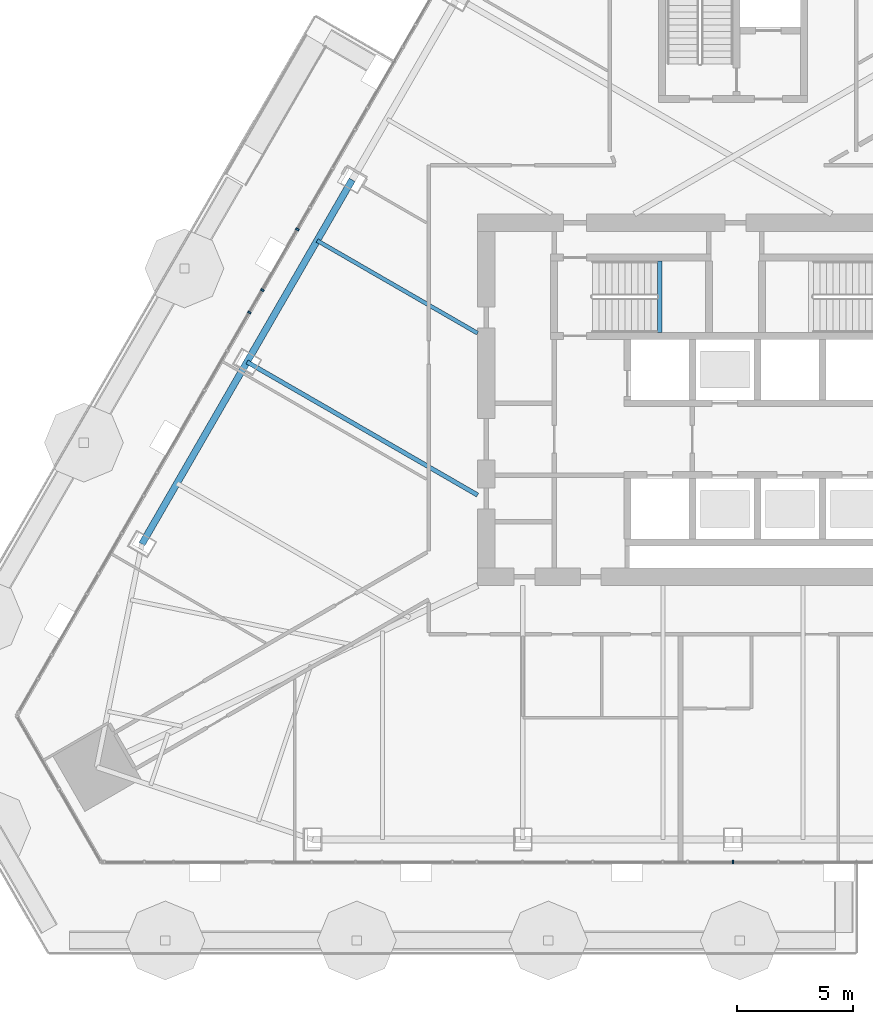
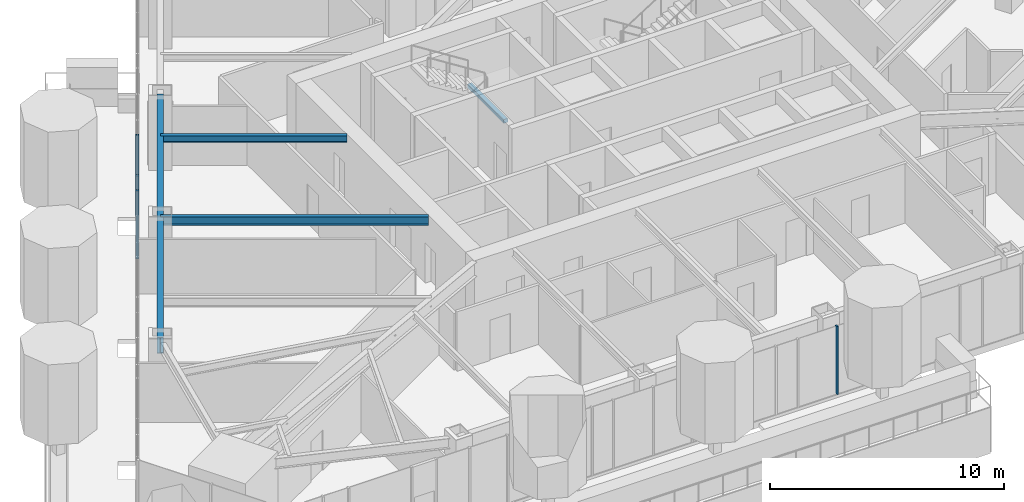
# One storey, part 3 of 32: 4 beams, 4 members, 2 elements without a shape of their own.
"""IFC4 building model written with IfcOpenShell, lengths in metres."""

from ifc_helpers import new_model, si_unit, direction, frame, origin, origin_2d, place, context, subcontext, project, spatial, rectangle, i_section, extrude, material, layer, layer_set, material_profile, profile_set, type_object, element, aggregate, save


model = new_model("IFC4")

# Units and contexts
model_context = context("Model", 3, precision=1e-05, world=origin(), true_north=direction((0.0, 1.0)))
body_context = subcontext(model_context, "Body", "Model", "MODEL_VIEW")
ifc_project = project(units=[si_unit("LENGTHUNIT", "METRE"), si_unit("AREAUNIT", "SQUARE_METRE"), si_unit("VOLUMEUNIT", "CUBIC_METRE"), si_unit("PLANEANGLEUNIT", "RADIAN"), si_unit("MASSUNIT", "GRAM", prefix="KILO")], contexts=[model_context])

# Site, building, storey
site_placement = place(None, origin())
site = spatial("IfcSite", under=ifc_project, at=site_placement, CompositionType="ELEMENT")
building_placement = place(site_placement, origin())
building = spatial("IfcBuilding", under=site, at=building_placement, Name="Firuza Gate Tower and Library", CompositionType="ELEMENT")
storey_placement = place(building_placement, frame((0.0, 0.0, 163.60009765625)))
storey = spatial("IfcBuildingStorey", under=building, at=storey_placement, Name="L37", CompositionType="ELEMENT", Elevation=163.60009765625)

# Curtain wall, member
ifc_material_1 = material(Name="Aluminium 6063-T6", Category="aluminium")
ifc_layer = layer(ifc_material_1, 0.14990234375)
ifc_layer_set = layer_set([ifc_layer], Name="Unitised curtain wall, hotel")
curtain_wall_type = type_object("IfcCurtainWallType", Name="Unitised curtain wall, hotel", PredefinedType="NOTDEFINED", material=ifc_layer_set)
placement = place(storey_placement, origin())
curtain_wall_1 = element("IfcCurtainWall", 1, at=placement, inside=storey, type_object=curtain_wall_type, Name="CW2 L37 S face", PredefinedType="NOTDEFINED")
ifc_material_2 = material(Name="Aluminium 6063-T6", Category="aluminium")
ifc_material_profile_1 = material_profile(ifc_material_2, rectangle(XDim=0.14990234375, YDim=0.080078125, at=origin_2d()))
ifc_profile_set_1 = profile_set([ifc_material_profile_1], Name="Aluminium 6063-T6")
member_type = type_object("IfcMemberType", Name="Curtain wall mullion 80x150", PredefinedType="MULLION", material=ifc_profile_set_1)
member_1_placement = place(storey_placement, frame((75.0, 55.086181640625, 0.14990234375), z_axis=(0.0, 0.0, 1.0), x_axis=(0.0, 1.0, 0.0)))
member_1 = element("IfcMember", 2, at=member_1_placement, type_object=member_type, Name="Mullion", PredefinedType="MULLION", context=body_context, shape_type="SweptSolid", body=[
    extrude(rectangle(XDim=0.14990234375, YDim=0.080078125, at=origin_2d()), origin(), (0.0, 0.0, 1.0), 3.550048828125),
])
aggregate(curtain_wall_1, [member_1])

# Curtain wall, members
curtain_wall_2 = element("IfcCurtainWall", 3, at=placement, inside=storey, type_object=curtain_wall_type, Name="CW2 L37 W face", PredefinedType="NOTDEFINED")
member_2_placement = place(storey_placement, frame((56.24267578125, 82.339111328125, 0.14990234375), z_axis=(0.0, 0.0, 1.0), x_axis=(0.866025403784, -0.5, 0.0)))
member_2 = element("IfcMember", 4, at=member_2_placement, type_object=member_type, Name="Mullion", PredefinedType="MULLION", context=body_context, shape_type="SweptSolid", body=[
    extrude(rectangle(XDim=0.14990234375, YDim=0.080078125, at=origin_2d()), origin(), (0.0, 0.0, 1.0), 3.550048828125),
])
member_3_placement = place(storey_placement, frame((54.731201171875, 79.72119140625, 0.14990234375), z_axis=(0.0, 0.0, 1.0), x_axis=(0.866025403784, -0.5, 0.0)))
member_3 = element("IfcMember", 5, at=member_3_placement, type_object=member_type, Name="Mullion", PredefinedType="MULLION", context=body_context, shape_type="SweptSolid", body=[
    extrude(rectangle(XDim=0.14990234375, YDim=0.080078125, at=origin_2d()), origin(), (0.0, 0.0, 1.0), 3.550048828125),
])
member_4_placement = place(storey_placement, frame((54.1748046875, 78.757568359375, 0.14990234375), z_axis=(0.0, 0.0, 1.0), x_axis=(0.866025403784, -0.5, 0.0)))
member_4 = element("IfcMember", 6, at=member_4_placement, type_object=member_type, Name="Mullion", PredefinedType="MULLION", context=body_context, shape_type="SweptSolid", body=[
    extrude(rectangle(XDim=0.14990234375, YDim=0.080078125, at=origin_2d()), origin(), (0.0, 0.0, 1.0), 3.550048828125),
])
aggregate(curtain_wall_2, [member_2, member_3, member_4])

# Beams
ifc_material_3 = material(Name="Concrete C35/45", Category="concrete")
ifc_material_profile_2 = material_profile(ifc_material_3, rectangle(XDim=0.199951171875, YDim=0.199951171875, at=origin_2d()))
ifc_profile_set_2 = profile_set([ifc_material_profile_2], Name="Concrete C35/45")
beam_type_1 = type_object("IfcBeamType", Name="Stair landing bearer 200x200", PredefinedType="BEAM", material=ifc_profile_set_2)
beam_1_placement = place(storey_placement, frame((71.840087890625, 77.89990234375, 1.64990234375), z_axis=(0.0, 1.0, 0.0), x_axis=(-1.0, 0.0, 0.0)))
element("IfcBeam", 7, at=beam_1_placement, inside=storey, type_object=beam_type_1, Name="Landing bearer L37 stair 1", PredefinedType="BEAM", context=body_context, shape_type="SweptSolid", body=[
    extrude(rectangle(XDim=0.199951171875, YDim=0.199951171875, at=origin_2d()), origin(), (0.0, 0.0, 1.0), 3.080078125),
])
ifc_material_4 = material(Name="Steel S355", Category="steel")
ifc_material_profile_3 = material_profile(ifc_material_4, i_section(OverallWidth=0.1708984375, OverallDepth=0.35498046875, WebThickness=0.007080078125, FlangeThickness=0.01171875, at=origin_2d()))
ifc_profile_set_3 = profile_set([ifc_material_profile_3], Name="Steel S355")
beam_type_2 = type_object("IfcBeamType", Name="W360x51 Floor beam", PredefinedType="JOIST", material=ifc_profile_set_3)
beam_2_placement = place(storey_placement, frame((57.08935546875, 81.855712890625, 3.5224609375), z_axis=(0.866031719379, -0.499989060909, 0.0), x_axis=(0.499989060909, 0.866031719379, 0.0)))
element("IfcBeam", 8, at=beam_2_placement, inside=storey, type_object=beam_type_2, Name="Floor beam L37 s83", PredefinedType="JOIST", context=body_context, shape_type="SweptSolid", body=[
    extrude(i_section(OverallWidth=0.1708984375, OverallDepth=0.35498046875, WebThickness=0.007080078125, FlangeThickness=0.01171875, at=origin_2d()), origin(), (0.0, 0.0, 1.0), 7.979736328125),
])
ifc_material_5 = material(Name="Steel S355", Category="steel")
ifc_material_profile_4 = material_profile(ifc_material_5, i_section(OverallWidth=0.18994140625, OverallDepth=0.45703125, WebThickness=0.009033203125, FlangeThickness=0.014404296875, at=origin_2d()))
ifc_profile_set_4 = profile_set([ifc_material_profile_4], Name="Steel S355")
beam_type_3 = type_object("IfcBeamType", Name="W460x74 Floor beam", PredefinedType="JOIST", material=ifc_profile_set_4)
beam_3_placement = place(storey_placement, frame((54.071533203125, 76.62841796875, 3.471435546875), z_axis=(0.866026357233, -0.499998348575, 0.0), x_axis=(0.499998348575, 0.866026357233, 0.0)))
element("IfcBeam", 9, at=beam_3_placement, inside=storey, type_object=beam_type_3, Name="Floor beam L37 s84", PredefinedType="JOIST", context=body_context, shape_type="SweptSolid", body=[
    extrude(i_section(OverallWidth=0.18994140625, OverallDepth=0.45703125, WebThickness=0.009033203125, FlangeThickness=0.014404296875, at=origin_2d()), origin(), (0.0, 0.0, 1.0), 11.46435546875),
])
ifc_material_6 = material(Name="Steel S355", Category="steel")
ifc_material_profile_5 = material_profile(ifc_material_6, i_section(OverallWidth=0.2919921875, OverallDepth=0.8349609375, WebThickness=0.013916015625, FlangeThickness=0.018798828125, at=origin_2d()))
ifc_profile_set_5 = profile_set([ifc_material_profile_5], Name="Steel S355")
beam_type_4 = type_object("IfcBeamType", Name="W840x176 Edge beam", PredefinedType="SPANDREL", material=ifc_profile_set_5)
beam_4_placement = place(storey_placement, frame((58.598388671875, 84.469482421875, 3.282470703125), z_axis=(-0.500000608324, -0.866025052568, 0.0), x_axis=(0.866025052568, -0.500000608324, 0.0)))
element("IfcBeam", 10, at=beam_4_placement, inside=storey, type_object=beam_type_4, Name="Edge beam L37 e82", PredefinedType="SPANDREL", context=body_context, shape_type="SweptSolid", body=[
    extrude(i_section(OverallWidth=0.2919921875, OverallDepth=0.8349609375, WebThickness=0.013916015625, FlangeThickness=0.018798828125, at=origin_2d()), origin(), (0.0, 0.0, 1.0), 18.10791015625),
])

save(model, "model.ifc")
